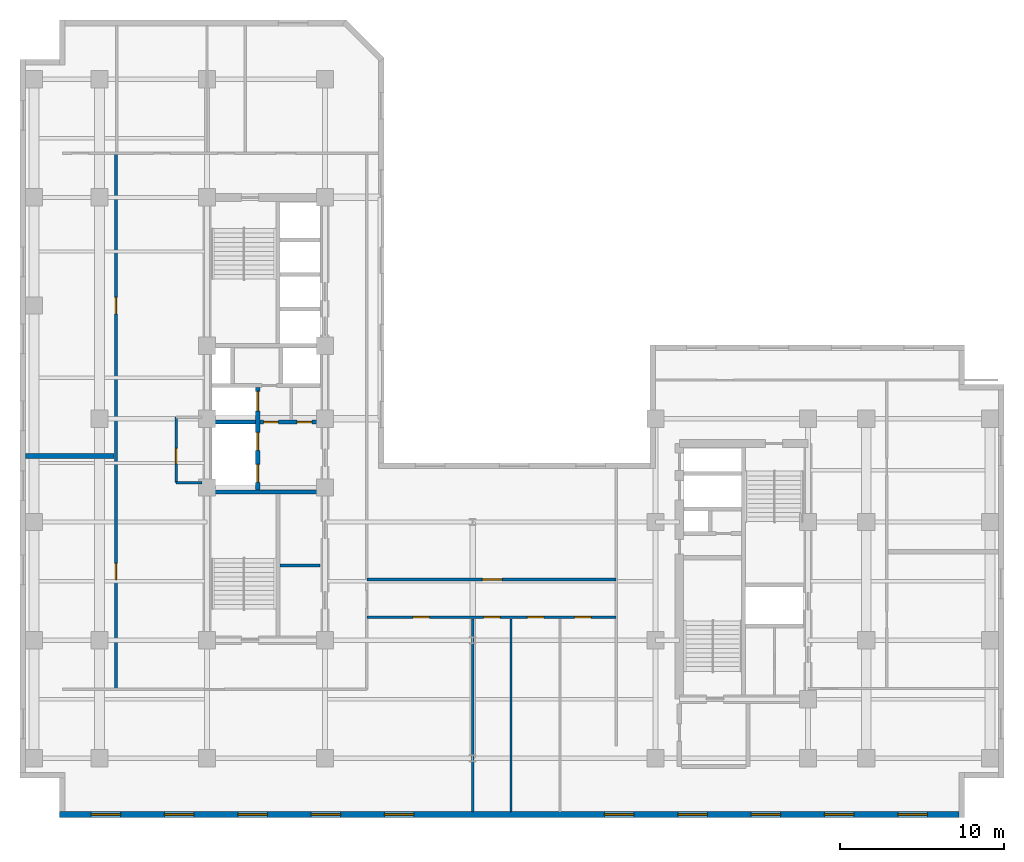
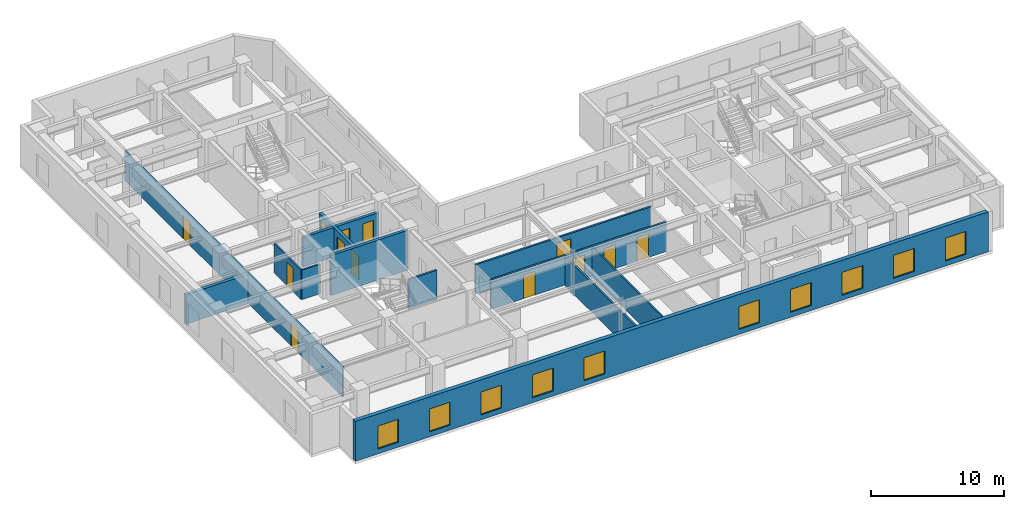
# One storey, part 3 of 9: 13 doors, 13 walls, 10 windows, 23 openings.
"""IFC4 building model written with IfcOpenShell, lengths in metres."""

from ifc_helpers import new_model, entity, si_unit, converted_unit, direction, frame, origin_with_axes, origin_2d_with_axis, place, context, subcontext, project, spatial, polyline, rectangle, outline, extrude, material, layer, layer_set, type_object, element, fill, save


model = new_model("IFC4")

# Units and contexts
model_context = context("Model", 3, precision=1e-05, world=origin_with_axes(), true_north=direction((0.0, 1.0)))
body_context = subcontext(model_context, "Body", "Model", "MODEL_VIEW")
ifc_project = project(units=[si_unit("LENGTHUNIT", "METRE"), si_unit("AREAUNIT", "SQUARE_METRE"), si_unit("VOLUMEUNIT", "CUBIC_METRE"), converted_unit("PLANEANGLEUNIT", "DEGREE", entity("IfcPlaneAngleMeasure", 0.017453292519943295), si_unit("PLANEANGLEUNIT", "RADIAN"), dimensions=[0, 0, 0, 0, 0, 0, 0]), si_unit("MASSUNIT", "GRAM", prefix="KILO"), si_unit("THERMODYNAMICTEMPERATUREUNIT", "KELVIN")], contexts=[model_context])

# Site, building, storey
site_placement = place(None, origin_with_axes())
site = spatial("IfcSite", under=ifc_project, at=site_placement, CompositionType="ELEMENT")
building_placement = place(site_placement, origin_with_axes())
building = spatial("IfcBuilding", under=site, at=building_placement, Name="Varnlund Millrace Tower", CompositionType="ELEMENT")
storey_placement = place(building_placement, frame((0.0, 0.0, 144.6), z_axis=(0.0, 0.0, 1.0), x_axis=(1.0, 0.0, 0.0)))
storey = spatial("IfcBuildingStorey", under=building, at=storey_placement, Name="L35", CompositionType="ELEMENT", Elevation=144.6)

# Wall, openings, windows
ifc_material_1 = material(Name="Precast concrete C50/60", Category="concrete")
ifc_layer_1 = layer(ifc_material_1, 0.34, Name="Precast concrete C50/60")
ifc_layer_set_1 = layer_set([ifc_layer_1], Name="Precast concrete C50/60")
wall_type_1 = type_object("IfcWallType", Name="Type-ExtWall-Precast-Upper-340", PredefinedType="SOLIDWALL", material=ifc_layer_set_1)
wall_1_placement = place(storey_placement, frame((57.26, 0.17, 0.0), z_axis=(0.0, 0.0, 1.0), x_axis=(-1.0, 0.0, 0.0)))
wall_1 = element("IfcWall", 1, at=wall_1_placement, inside=storey, type_object=wall_type_1, Name="Type-ExtWall-Precast-Upper-340", PredefinedType="SOLIDWALL", context=body_context, shape_type="SweptSolid", body=[
    extrude(outline(polyline([(0.0, -0.17), (54.86, -0.17), (54.86, 0.17), (0.0, 0.17), (0.0, -0.17)])), origin_with_axes(), (0.0, 0.0, 1.0), 3.66),
])
opening_1_placement = place(wall_1_placement, frame((2.836, 0.0, 0.45), z_axis=(0.0, 0.0, 1.0), x_axis=(1.0, 0.0, 0.0)))
opening_1 = element("IfcOpeningElement", 2, at=opening_1_placement, cuts=wall_1, Name="Opening L35:WN-08", PredefinedType="OPENING", context=body_context, shape_type="SweptSolid", body=[
    extrude(rectangle(XDim=1.8, YDim=0.36, at=origin_2d_with_axis()), origin_with_axes(), (0.0, 0.0, 1.0), 2.1),
])
opening_2_placement = place(wall_1_placement, frame((7.307, 0.0, 0.45), z_axis=(0.0, 0.0, 1.0), x_axis=(1.0, 0.0, 0.0)))
opening_2 = element("IfcOpeningElement", 3, at=opening_2_placement, cuts=wall_1, Name="Opening L35:WN-09", PredefinedType="OPENING", context=body_context, shape_type="SweptSolid", body=[
    extrude(rectangle(XDim=1.8, YDim=0.36, at=origin_2d_with_axis()), origin_with_axes(), (0.0, 0.0, 1.0), 2.1),
])
opening_3_placement = place(wall_1_placement, frame((11.779, 0.0, 0.45), z_axis=(0.0, 0.0, 1.0), x_axis=(1.0, 0.0, 0.0)))
opening_3 = element("IfcOpeningElement", 4, at=opening_3_placement, cuts=wall_1, Name="Opening L35:WN-10", PredefinedType="OPENING", context=body_context, shape_type="SweptSolid", body=[
    extrude(rectangle(XDim=1.8, YDim=0.36, at=origin_2d_with_axis()), origin_with_axes(), (0.0, 0.0, 1.0), 2.1),
])
opening_4_placement = place(wall_1_placement, frame((16.251, 0.0, 0.45), z_axis=(0.0, 0.0, 1.0), x_axis=(1.0, 0.0, 0.0)))
opening_4 = element("IfcOpeningElement", 5, at=opening_4_placement, cuts=wall_1, Name="Opening L35:WN-11", PredefinedType="OPENING", context=body_context, shape_type="SweptSolid", body=[
    extrude(rectangle(XDim=1.8, YDim=0.36, at=origin_2d_with_axis()), origin_with_axes(), (0.0, 0.0, 1.0), 2.1),
])
opening_5_placement = place(wall_1_placement, frame((20.723, 0.0, 0.45), z_axis=(0.0, 0.0, 1.0), x_axis=(1.0, 0.0, 0.0)))
opening_5 = element("IfcOpeningElement", 6, at=opening_5_placement, cuts=wall_1, Name="Opening L35:WN-12", PredefinedType="OPENING", context=body_context, shape_type="SweptSolid", body=[
    extrude(rectangle(XDim=1.8, YDim=0.36, at=origin_2d_with_axis()), origin_with_axes(), (0.0, 0.0, 1.0), 2.1),
])
opening_6_placement = place(wall_1_placement, frame((34.138, 0.0, 0.45), z_axis=(0.0, 0.0, 1.0), x_axis=(1.0, 0.0, 0.0)))
opening_6 = element("IfcOpeningElement", 7, at=opening_6_placement, cuts=wall_1, Name="Opening L35:WN-13", PredefinedType="OPENING", context=body_context, shape_type="SweptSolid", body=[
    extrude(rectangle(XDim=1.8, YDim=0.36, at=origin_2d_with_axis()), origin_with_axes(), (0.0, 0.0, 1.0), 2.1),
])
opening_7_placement = place(wall_1_placement, frame((38.609, 0.0, 0.45), z_axis=(0.0, 0.0, 1.0), x_axis=(1.0, 0.0, 0.0)))
opening_7 = element("IfcOpeningElement", 8, at=opening_7_placement, cuts=wall_1, Name="Opening L35:WN-14", PredefinedType="OPENING", context=body_context, shape_type="SweptSolid", body=[
    extrude(rectangle(XDim=1.8, YDim=0.36, at=origin_2d_with_axis()), origin_with_axes(), (0.0, 0.0, 1.0), 2.1),
])
opening_8_placement = place(wall_1_placement, frame((43.081, 0.0, 0.45), z_axis=(0.0, 0.0, 1.0), x_axis=(1.0, 0.0, 0.0)))
opening_8 = element("IfcOpeningElement", 9, at=opening_8_placement, cuts=wall_1, Name="Opening L35:WN-15", PredefinedType="OPENING", context=body_context, shape_type="SweptSolid", body=[
    extrude(rectangle(XDim=1.8, YDim=0.36, at=origin_2d_with_axis()), origin_with_axes(), (0.0, 0.0, 1.0), 2.1),
])
opening_9_placement = place(wall_1_placement, frame((47.553, 0.0, 0.45), z_axis=(0.0, 0.0, 1.0), x_axis=(1.0, 0.0, 0.0)))
opening_9 = element("IfcOpeningElement", 10, at=opening_9_placement, cuts=wall_1, Name="Opening L35:WN-16", PredefinedType="OPENING", context=body_context, shape_type="SweptSolid", body=[
    extrude(rectangle(XDim=1.8, YDim=0.36, at=origin_2d_with_axis()), origin_with_axes(), (0.0, 0.0, 1.0), 2.1),
])
opening_10_placement = place(wall_1_placement, frame((52.024, 0.0, 0.45), z_axis=(0.0, 0.0, 1.0), x_axis=(1.0, 0.0, 0.0)))
opening_10 = element("IfcOpeningElement", 11, at=opening_10_placement, cuts=wall_1, Name="Opening L35:WN-17", PredefinedType="OPENING", context=body_context, shape_type="SweptSolid", body=[
    extrude(rectangle(XDim=1.8, YDim=0.36, at=origin_2d_with_axis()), origin_with_axes(), (0.0, 0.0, 1.0), 2.1),
])
ifc_material_2 = material(Name="Argon low-e triple glazing in thermally broken bronze frame", Category="glass")
window_type = type_object("IfcWindowType", Name="Type-Window-Punched-1800X2100", PartitioningType="SINGLE_PANEL", PredefinedType="WINDOW", material=ifc_material_2)
window_1_placement = place(wall_1_placement, frame((2.836, 0.0, 0.45), z_axis=(0.0, 0.0, 1.0), x_axis=(1.0, 0.0, 0.0)))
window_1 = element("IfcWindow", 12, at=window_1_placement, inside=storey, type_object=window_type, Name="Type-Window-Punched-1800X2100", OverallHeight=2.1, OverallWidth=1.8, PredefinedType="WINDOW", context=body_context, shape_type="SweptSolid", body=[
    extrude(rectangle(XDim=1.8, YDim=0.09, at=origin_2d_with_axis()), origin_with_axes(), (0.0, 0.0, 1.0), 2.1),
])
fill(opening_1, window_1)
window_2_placement = place(wall_1_placement, frame((7.307, 0.0, 0.45), z_axis=(0.0, 0.0, 1.0), x_axis=(1.0, 0.0, 0.0)))
window_2 = element("IfcWindow", 13, at=window_2_placement, inside=storey, type_object=window_type, Name="Type-Window-Punched-1800X2100", OverallHeight=2.1, OverallWidth=1.8, PredefinedType="WINDOW", context=body_context, shape_type="SweptSolid", body=[
    extrude(rectangle(XDim=1.8, YDim=0.09, at=origin_2d_with_axis()), origin_with_axes(), (0.0, 0.0, 1.0), 2.1),
])
fill(opening_2, window_2)
window_3_placement = place(wall_1_placement, frame((11.779, 0.0, 0.45), z_axis=(0.0, 0.0, 1.0), x_axis=(1.0, 0.0, 0.0)))
window_3 = element("IfcWindow", 14, at=window_3_placement, inside=storey, type_object=window_type, Name="Type-Window-Punched-1800X2100", OverallHeight=2.1, OverallWidth=1.8, PredefinedType="WINDOW", context=body_context, shape_type="SweptSolid", body=[
    extrude(rectangle(XDim=1.8, YDim=0.09, at=origin_2d_with_axis()), origin_with_axes(), (0.0, 0.0, 1.0), 2.1),
])
fill(opening_3, window_3)
window_4_placement = place(wall_1_placement, frame((16.251, 0.0, 0.45), z_axis=(0.0, 0.0, 1.0), x_axis=(1.0, 0.0, 0.0)))
window_4 = element("IfcWindow", 15, at=window_4_placement, inside=storey, type_object=window_type, Name="Type-Window-Punched-1800X2100", OverallHeight=2.1, OverallWidth=1.8, PredefinedType="WINDOW", context=body_context, shape_type="SweptSolid", body=[
    extrude(rectangle(XDim=1.8, YDim=0.09, at=origin_2d_with_axis()), origin_with_axes(), (0.0, 0.0, 1.0), 2.1),
])
fill(opening_4, window_4)
window_5_placement = place(wall_1_placement, frame((20.723, 0.0, 0.45), z_axis=(0.0, 0.0, 1.0), x_axis=(1.0, 0.0, 0.0)))
window_5 = element("IfcWindow", 16, at=window_5_placement, inside=storey, type_object=window_type, Name="Type-Window-Punched-1800X2100", OverallHeight=2.1, OverallWidth=1.8, PredefinedType="WINDOW", context=body_context, shape_type="SweptSolid", body=[
    extrude(rectangle(XDim=1.8, YDim=0.09, at=origin_2d_with_axis()), origin_with_axes(), (0.0, 0.0, 1.0), 2.1),
])
fill(opening_5, window_5)
window_6_placement = place(wall_1_placement, frame((34.138, 0.0, 0.45), z_axis=(0.0, 0.0, 1.0), x_axis=(1.0, 0.0, 0.0)))
window_6 = element("IfcWindow", 17, at=window_6_placement, inside=storey, type_object=window_type, Name="Type-Window-Punched-1800X2100", OverallHeight=2.1, OverallWidth=1.8, PredefinedType="WINDOW", context=body_context, shape_type="SweptSolid", body=[
    extrude(rectangle(XDim=1.8, YDim=0.09, at=origin_2d_with_axis()), origin_with_axes(), (0.0, 0.0, 1.0), 2.1),
])
fill(opening_6, window_6)
window_7_placement = place(wall_1_placement, frame((38.609, 0.0, 0.45), z_axis=(0.0, 0.0, 1.0), x_axis=(1.0, 0.0, 0.0)))
window_7 = element("IfcWindow", 18, at=window_7_placement, inside=storey, type_object=window_type, Name="Type-Window-Punched-1800X2100", OverallHeight=2.1, OverallWidth=1.8, PredefinedType="WINDOW", context=body_context, shape_type="SweptSolid", body=[
    extrude(rectangle(XDim=1.8, YDim=0.09, at=origin_2d_with_axis()), origin_with_axes(), (0.0, 0.0, 1.0), 2.1),
])
fill(opening_7, window_7)
window_8_placement = place(wall_1_placement, frame((43.081, 0.0, 0.45), z_axis=(0.0, 0.0, 1.0), x_axis=(1.0, 0.0, 0.0)))
window_8 = element("IfcWindow", 19, at=window_8_placement, inside=storey, type_object=window_type, Name="Type-Window-Punched-1800X2100", OverallHeight=2.1, OverallWidth=1.8, PredefinedType="WINDOW", context=body_context, shape_type="SweptSolid", body=[
    extrude(rectangle(XDim=1.8, YDim=0.09, at=origin_2d_with_axis()), origin_with_axes(), (0.0, 0.0, 1.0), 2.1),
])
fill(opening_8, window_8)
window_9_placement = place(wall_1_placement, frame((47.553, 0.0, 0.45), z_axis=(0.0, 0.0, 1.0), x_axis=(1.0, 0.0, 0.0)))
window_9 = element("IfcWindow", 20, at=window_9_placement, inside=storey, type_object=window_type, Name="Type-Window-Punched-1800X2100", OverallHeight=2.1, OverallWidth=1.8, PredefinedType="WINDOW", context=body_context, shape_type="SweptSolid", body=[
    extrude(rectangle(XDim=1.8, YDim=0.09, at=origin_2d_with_axis()), origin_with_axes(), (0.0, 0.0, 1.0), 2.1),
])
fill(opening_9, window_9)
window_10_placement = place(wall_1_placement, frame((52.024, 0.0, 0.45), z_axis=(0.0, 0.0, 1.0), x_axis=(1.0, 0.0, 0.0)))
window_10 = element("IfcWindow", 21, at=window_10_placement, inside=storey, type_object=window_type, Name="Type-Window-Punched-1800X2100", OverallHeight=2.1, OverallWidth=1.8, PredefinedType="WINDOW", context=body_context, shape_type="SweptSolid", body=[
    extrude(rectangle(XDim=1.8, YDim=0.09, at=origin_2d_with_axis()), origin_with_axes(), (0.0, 0.0, 1.0), 2.1),
])
fill(opening_10, window_10)

# Walls
ifc_material_3 = material(Name="Double-stud STC-60 conference acoustic partition", Category="gypsum")
ifc_layer_2 = layer(ifc_material_3, 0.28, Name="Double-stud STC-60 conference acoustic partition")
ifc_layer_set_2 = layer_set([ifc_layer_2], Name="Double-stud STC-60 conference acoustic partition")
wall_type_2 = type_object("IfcWallType", Name="Type-Partition-Acoustic-280", PredefinedType="PARTITIONING", material=ifc_layer_set_2)
wall_2_placement = place(storey_placement, frame((0.335, 22.031, 0.0), z_axis=(0.0, 0.0, 1.0), x_axis=(1.0, 0.0, 0.0)))
element("IfcWall", 22, at=wall_2_placement, inside=storey, type_object=wall_type_2, Name="Type-Partition-Acoustic-280", PredefinedType="PARTITIONING", context=body_context, shape_type="SweptSolid", body=[
    extrude(outline(polyline([(0.0, -0.14), (5.395, -0.14), (5.395, 0.14), (0.0, 0.14), (0.0, -0.14)])), origin_with_axes(), (0.0, 0.0, 1.0), 2.7),
])
ifc_material_4 = material(Name="Fire-rated gypsum board on cold-formed steel framing", Category="steel")
ifc_layer_3 = layer(ifc_material_4, 0.16, Name="Fire-rated gypsum board on cold-formed steel framing")
ifc_layer_set_3 = layer_set([ifc_layer_3], Name="Fire-rated gypsum board on cold-formed steel framing")
wall_type_3 = type_object("IfcWallType", Name="Type-Partition-Corridor-160", PredefinedType="PARTITIONING", material=ifc_layer_set_3)
wall_3_placement = place(storey_placement, frame((15.84, 15.35, 0.0), z_axis=(0.0, 0.0, 1.0), x_axis=(1.0, 0.0, 0.0)))
element("IfcWall", 23, at=wall_3_placement, inside=storey, type_object=wall_type_3, Name="Type-Partition-Corridor-160", PredefinedType="PARTITIONING", context=body_context, shape_type="SweptSolid", body=[
    extrude(outline(polyline([(0.0, -0.08), (2.46, -0.08), (2.46, 0.08), (0.0, 0.08), (0.0, -0.08)])), origin_with_axes(), (0.0, 0.0, 1.0), 2.7),
])

# Wall, openings, doors
wall_4_placement = place(storey_placement, frame((5.85, 7.8, 0.0), z_axis=(0.0, 0.0, 1.0), x_axis=(0.0, 1.0, 0.0)))
wall_4 = element("IfcWall", 24, at=wall_4_placement, inside=storey, type_object=wall_type_3, Name="Type-Partition-Corridor-160", PredefinedType="PARTITIONING", context=body_context, shape_type="SweptSolid", body=[
    extrude(outline(polyline([(0.0, -0.08), (32.7, -0.08), (32.7, 0.08), (0.0, 0.08), (0.0, -0.08)])), origin_with_axes(), (0.0, 0.0, 1.0), 2.7),
])
opening_11_placement = place(wall_4_placement, frame((7.1805, 0.0, 0.0), z_axis=(0.0, 0.0, 1.0), x_axis=(1.0, 0.0, 0.0)))
opening_11 = element("IfcOpeningElement", 25, at=opening_11_placement, cuts=wall_4, Name="Opening L35:DR-W-01", PredefinedType="OPENING", context=body_context, shape_type="SweptSolid", body=[
    extrude(rectangle(XDim=1.0, YDim=0.18, at=origin_2d_with_axis()), origin_with_axes(), (0.0, 0.0, 1.0), 2.15),
])
opening_12_placement = place(wall_4_placement, frame((23.4005, 0.0, 0.0), z_axis=(0.0, 0.0, 1.0), x_axis=(1.0, 0.0, 0.0)))
opening_12 = element("IfcOpeningElement", 26, at=opening_12_placement, cuts=wall_4, Name="Opening L35:DR-W-02", PredefinedType="OPENING", context=body_context, shape_type="SweptSolid", body=[
    extrude(rectangle(XDim=1.0, YDim=0.18, at=origin_2d_with_axis()), origin_with_axes(), (0.0, 0.0, 1.0), 2.15),
])
ifc_material_5 = material(Name="Solid-core white oak and bronze frame door")
door_type_1 = type_object("IfcDoorType", Name="Type-IntDoor-Office-1000X2150", OperationType="NOTDEFINED", PredefinedType="DOOR", material=ifc_material_5)
door_1_placement = place(wall_4_placement, frame((7.1805, 0.0, 0.0), z_axis=(0.0, 0.0, 1.0), x_axis=(1.0, 0.0, 0.0)))
door_1 = element("IfcDoor", 27, at=door_1_placement, inside=storey, type_object=door_type_1, Name="Type-IntDoor-Office-1000X2150", OperationType="SINGLE_SWING_LEFT", OverallHeight=2.15, OverallWidth=1.0, PredefinedType="DOOR", context=body_context, shape_type="SweptSolid", body=[
    extrude(rectangle(XDim=1.0, YDim=0.09, at=origin_2d_with_axis()), origin_with_axes(), (0.0, 0.0, 1.0), 2.15),
])
fill(opening_11, door_1)
door_2_placement = place(wall_4_placement, frame((23.4005, 0.0, 0.0), z_axis=(0.0, 0.0, 1.0), x_axis=(1.0, 0.0, 0.0)))
door_2 = element("IfcDoor", 28, at=door_2_placement, inside=storey, type_object=door_type_1, Name="Type-IntDoor-Office-1000X2150", OperationType="SINGLE_SWING_RIGHT", OverallHeight=2.15, OverallWidth=1.0, PredefinedType="DOOR", context=body_context, shape_type="SweptSolid", body=[
    extrude(rectangle(XDim=1.0, YDim=0.09, at=origin_2d_with_axis()), origin_with_axes(), (0.0, 0.0, 1.0), 2.15),
])
fill(opening_12, door_2)

wall_5_placement = place(storey_placement, frame((21.15, 12.2, 0.0), z_axis=(0.0, 0.0, 1.0), x_axis=(1.0, 0.0, 0.0)))
wall_5 = element("IfcWall", 29, at=wall_5_placement, inside=storey, type_object=wall_type_3, Name="Type-Partition-Corridor-160", PredefinedType="PARTITIONING", context=body_context, shape_type="SweptSolid", body=[
    extrude(outline(polyline([(0.0, -0.08), (15.2, -0.08), (15.2, 0.08), (0.0, 0.08), (0.0, -0.08)])), origin_with_axes(), (0.0, 0.0, 1.0), 2.7),
])
opening_13_placement = place(wall_5_placement, frame((3.315, 0.0, 0.0), z_axis=(0.0, 0.0, 1.0), x_axis=(1.0, 0.0, 0.0)))
opening_13 = element("IfcOpeningElement", 30, at=opening_13_placement, cuts=wall_5, Name="Opening L35:DR-KNS-01", PredefinedType="OPENING", context=body_context, shape_type="SweptSolid", body=[
    extrude(rectangle(XDim=1.0, YDim=0.18, at=origin_2d_with_axis()), origin_with_axes(), (0.0, 0.0, 1.0), 2.15),
])
opening_14_placement = place(wall_5_placement, frame((7.624, 0.0, 0.0), z_axis=(0.0, 0.0, 1.0), x_axis=(1.0, 0.0, 0.0)))
opening_14 = element("IfcOpeningElement", 31, at=opening_14_placement, cuts=wall_5, Name="Opening L35:DR-KNS-02", PredefinedType="OPENING", context=body_context, shape_type="SweptSolid", body=[
    extrude(rectangle(XDim=1.0, YDim=0.18, at=origin_2d_with_axis()), origin_with_axes(), (0.0, 0.0, 1.0), 2.15),
])
opening_15_placement = place(wall_5_placement, frame((10.288, 0.0, 0.0), z_axis=(0.0, 0.0, 1.0), x_axis=(1.0, 0.0, 0.0)))
opening_15 = element("IfcOpeningElement", 32, at=opening_15_placement, cuts=wall_5, Name="Opening L35:DR-KNS-03", PredefinedType="OPENING", context=body_context, shape_type="SweptSolid", body=[
    extrude(rectangle(XDim=1.0, YDim=0.18, at=origin_2d_with_axis()), origin_with_axes(), (0.0, 0.0, 1.0), 2.15),
])
opening_16_placement = place(wall_5_placement, frame((13.169, 0.0, 0.0), z_axis=(0.0, 0.0, 1.0), x_axis=(1.0, 0.0, 0.0)))
opening_16 = element("IfcOpeningElement", 33, at=opening_16_placement, cuts=wall_5, Name="Opening L35:DR-KNS-04", PredefinedType="OPENING", context=body_context, shape_type="SweptSolid", body=[
    extrude(rectangle(XDim=1.0, YDim=0.18, at=origin_2d_with_axis()), origin_with_axes(), (0.0, 0.0, 1.0), 2.15),
])
door_3_placement = place(wall_5_placement, frame((3.315, 0.0, 0.0), z_axis=(0.0, 0.0, 1.0), x_axis=(1.0, 0.0, 0.0)))
door_3 = element("IfcDoor", 34, at=door_3_placement, inside=storey, type_object=door_type_1, Name="Type-IntDoor-Office-1000X2150", OperationType="SINGLE_SWING_LEFT", OverallHeight=2.15, OverallWidth=1.0, PredefinedType="DOOR", context=body_context, shape_type="SweptSolid", body=[
    extrude(rectangle(XDim=1.0, YDim=0.09, at=origin_2d_with_axis()), origin_with_axes(), (0.0, 0.0, 1.0), 2.15),
])
fill(opening_13, door_3)
door_4_placement = place(wall_5_placement, frame((7.624, 0.0, 0.0), z_axis=(0.0, 0.0, 1.0), x_axis=(1.0, 0.0, 0.0)))
door_4 = element("IfcDoor", 35, at=door_4_placement, inside=storey, type_object=door_type_1, Name="Type-IntDoor-Office-1000X2150", OperationType="SINGLE_SWING_RIGHT", OverallHeight=2.15, OverallWidth=1.0, PredefinedType="DOOR", context=body_context, shape_type="SweptSolid", body=[
    extrude(rectangle(XDim=1.0, YDim=0.09, at=origin_2d_with_axis()), origin_with_axes(), (0.0, 0.0, 1.0), 2.15),
])
fill(opening_14, door_4)
door_5_placement = place(wall_5_placement, frame((10.288, 0.0, 0.0), z_axis=(0.0, 0.0, 1.0), x_axis=(1.0, 0.0, 0.0)))
door_5 = element("IfcDoor", 36, at=door_5_placement, inside=storey, type_object=door_type_1, Name="Type-IntDoor-Office-1000X2150", OperationType="SINGLE_SWING_LEFT", OverallHeight=2.15, OverallWidth=1.0, PredefinedType="DOOR", context=body_context, shape_type="SweptSolid", body=[
    extrude(rectangle(XDim=1.0, YDim=0.09, at=origin_2d_with_axis()), origin_with_axes(), (0.0, 0.0, 1.0), 2.15),
])
fill(opening_15, door_5)
door_6_placement = place(wall_5_placement, frame((13.169, 0.0, 0.0), z_axis=(0.0, 0.0, 1.0), x_axis=(1.0, 0.0, 0.0)))
door_6 = element("IfcDoor", 37, at=door_6_placement, inside=storey, type_object=door_type_1, Name="Type-IntDoor-Office-1000X2150", OperationType="SINGLE_SWING_RIGHT", OverallHeight=2.15, OverallWidth=1.0, PredefinedType="DOOR", context=body_context, shape_type="SweptSolid", body=[
    extrude(rectangle(XDim=1.0, YDim=0.09, at=origin_2d_with_axis()), origin_with_axes(), (0.0, 0.0, 1.0), 2.15),
])
fill(opening_16, door_6)

# Wall, opening, door
wall_6_placement = place(storey_placement, frame((21.15, 14.5, 0.0), z_axis=(0.0, 0.0, 1.0), x_axis=(1.0, 0.0, 0.0)))
wall_6 = element("IfcWall", 38, at=wall_6_placement, inside=storey, type_object=wall_type_3, Name="Type-Partition-Corridor-160", PredefinedType="PARTITIONING", context=body_context, shape_type="SweptSolid", body=[
    extrude(outline(polyline([(0.0, -0.08), (15.2, -0.08), (15.2, 0.08), (0.0, 0.08), (0.0, -0.08)])), origin_with_axes(), (0.0, 0.0, 1.0), 2.7),
])
opening_17_placement = place(wall_6_placement, frame((7.65, 0.0, 0.0), z_axis=(0.0, 0.0, 1.0), x_axis=(1.0, 0.0, 0.0)))
opening_17 = element("IfcOpeningElement", 39, at=opening_17_placement, cuts=wall_6, Name="Opening L35:DR-KN-01", PredefinedType="OPENING", context=body_context, shape_type="SweptSolid", body=[
    extrude(rectangle(XDim=1.2, YDim=0.18, at=origin_2d_with_axis()), origin_with_axes(), (0.0, 0.0, 1.0), 2.2),
])
ifc_material_6 = material(Name="Wide executive white oak acoustic door")
door_type_2 = type_object("IfcDoorType", Name="Type-IntDoor-Exec-1200X2200", OperationType="NOTDEFINED", PredefinedType="DOOR", material=ifc_material_6)
door_7_placement = place(wall_6_placement, frame((7.65, 0.0, 0.0), z_axis=(0.0, 0.0, 1.0), x_axis=(1.0, 0.0, 0.0)))
door_7 = element("IfcDoor", 40, at=door_7_placement, inside=storey, type_object=door_type_2, Name="Type-IntDoor-Exec-1200X2200", OperationType="SINGLE_SWING_LEFT", OverallHeight=2.2, OverallWidth=1.2, PredefinedType="DOOR", context=body_context, shape_type="SweptSolid", body=[
    extrude(rectangle(XDim=1.2, YDim=0.09, at=origin_2d_with_axis()), origin_with_axes(), (0.0, 0.0, 1.0), 2.2),
])
fill(opening_17, door_7)

# Walls
ifc_material_7 = material(Name="Acoustic STC-50 gypsum board partition", Category="gypsum")
ifc_layer_4 = layer(ifc_material_7, 0.15, Name="Acoustic STC-50 gypsum board partition")
ifc_layer_set_4 = layer_set([ifc_layer_4], Name="Acoustic STC-50 gypsum board partition")
wall_type_4 = type_object("IfcWallType", Name="Type-Partition-Demising-150", PredefinedType="PARTITIONING", material=ifc_layer_set_4)
wall_7_placement = place(storey_placement, frame((27.6, 0.335, 0.0), z_axis=(0.0, 0.0, 1.0), x_axis=(0.0, 1.0, 0.0)))
element("IfcWall", 41, at=wall_7_placement, inside=storey, type_object=wall_type_4, Name="Type-Partition-Demising-150", PredefinedType="PARTITIONING", context=body_context, shape_type="SweptSolid", body=[
    extrude(outline(polyline([(0.0, -0.075), (11.745, -0.075), (11.745, 0.075), (0.0, 0.075), (0.0, -0.075)])), origin_with_axes(), (0.0, 0.0, 1.0), 2.7),
])
ifc_material_8 = material(Name="Gypsum board tenant partition", Category="gypsum")
ifc_layer_5 = layer(ifc_material_8, 0.125, Name="Gypsum board tenant partition")
ifc_layer_set_5 = layer_set([ifc_layer_5], Name="Gypsum board tenant partition")
wall_type_5 = type_object("IfcWallType", Name="Type-Partition-Tenant-125", PredefinedType="PARTITIONING", material=ifc_layer_set_5)
wall_8_placement = place(storey_placement, frame((29.948, 0.335, 0.0), z_axis=(0.0, 0.0, 1.0), x_axis=(0.0, 1.0, 0.0)))
element("IfcWall", 42, at=wall_8_placement, inside=storey, type_object=wall_type_5, Name="Type-Partition-Tenant-125", PredefinedType="PARTITIONING", context=body_context, shape_type="SweptSolid", body=[
    extrude(outline(polyline([(0.0, -0.0625), (11.745, -0.0625), (11.745, 0.0625), (0.0, 0.0625), (0.0, -0.0625)])), origin_with_axes(), (0.0, 0.0, 1.0), 2.7),
])

# Wall, opening, door
ifc_material_9 = material(Name="Moisture-resistant gypsum restroom partition", Category="gypsum")
ifc_layer_6 = layer(ifc_material_9, 0.14, Name="Moisture-resistant gypsum restroom partition")
ifc_layer_set_6 = layer_set([ifc_layer_6], Name="Moisture-resistant gypsum restroom partition")
wall_type_6 = type_object("IfcWallType", Name="Type-Partition-Wet-140", PredefinedType="PARTITIONING", material=ifc_layer_set_6)
wall_9_placement = place(storey_placement, frame((9.52, 20.4, 0.0), z_axis=(0.0, 0.0, 1.0), x_axis=(0.0, 1.0, 0.0)))
wall_9 = element("IfcWall", 43, at=wall_9_placement, inside=storey, type_object=wall_type_6, Name="Type-Partition-Wet-140", PredefinedType="PARTITIONING", context=body_context, shape_type="SweptSolid", body=[
    extrude(outline(polyline([(0.0, -0.07), (4.0, -0.07), (4.0, 0.07), (0.0, 0.07), (0.0, -0.07)])), origin_with_axes(), (0.0, 0.0, 1.0), 2.7),
])
opening_18_placement = place(wall_9_placement, frame((1.625, 0.0, 0.0), z_axis=(0.0, 0.0, 1.0), x_axis=(1.0, 0.0, 0.0)))
opening_18 = element("IfcOpeningElement", 44, at=opening_18_placement, cuts=wall_9, Name="Opening L35:DR-CA-WCW", PredefinedType="OPENING", context=body_context, shape_type="SweptSolid", body=[
    extrude(rectangle(XDim=0.95, YDim=0.16, at=origin_2d_with_axis()), origin_with_axes(), (0.0, 0.0, 1.0), 2.15),
])
ifc_material_10 = material(Name="Solid-core acoustic office door")
door_type_3 = type_object("IfcDoorType", Name="Type-IntDoor-Tenant-950X2150", OperationType="NOTDEFINED", PredefinedType="DOOR", material=ifc_material_10)
door_8_placement = place(wall_9_placement, frame((1.625, 0.0, 0.0), z_axis=(0.0, 0.0, 1.0), x_axis=(1.0, 0.0, 0.0)))
door_8 = element("IfcDoor", 45, at=door_8_placement, inside=storey, type_object=door_type_3, Name="Type-IntDoor-Tenant-950X2150", OperationType="SINGLE_SWING_LEFT", OverallHeight=2.15, OverallWidth=0.95, PredefinedType="DOOR", context=body_context, shape_type="SweptSolid", body=[
    extrude(rectangle(XDim=0.95, YDim=0.084, at=origin_2d_with_axis()), origin_with_axes(), (0.0, 0.0, 1.0), 2.15),
])
fill(opening_18, door_8)

# Wall
wall_10_placement = place(storey_placement, frame((9.52, 20.4, 0.0), z_axis=(0.0, 0.0, 1.0), x_axis=(1.0, 0.0, 0.0)))
element("IfcWall", 46, at=wall_10_placement, inside=storey, type_object=wall_type_6, Name="Type-Partition-Wet-140", PredefinedType="PARTITIONING", context=body_context, shape_type="SweptSolid", body=[
    extrude(outline(polyline([(0.0, -0.07), (1.58, -0.07), (1.58, 0.07), (0.0, 0.07), (0.0, -0.07)])), origin_with_axes(), (0.0, 0.0, 1.0), 2.7),
])

# Wall, openings, doors
ifc_material_11 = material(Name="Concrete C60/75", Category="concrete")
ifc_layer_7 = layer(ifc_material_11, 0.25, Name="Concrete C60/75")
ifc_layer_set_7 = layer_set([ifc_layer_7], Name="Concrete C60/75")
wall_type_7 = type_object("IfcWallType", Name="Type-ShaftWall-Fire-250", PredefinedType="SOLIDWALL", material=ifc_layer_set_7)
wall_11_placement = place(storey_placement, frame((14.5, 19.95, 0.0), z_axis=(0.0, 0.0, 1.0), x_axis=(0.0, 1.0, 0.0)))
wall_11 = element("IfcWall", 47, at=wall_11_placement, inside=storey, type_object=wall_type_7, Name="Type-ShaftWall-Fire-250", PredefinedType="SOLIDWALL", context=body_context, shape_type="SweptSolid", body=[
    extrude(outline(polyline([(0.0, -0.125), (6.25, -0.125), (6.25, 0.125), (0.0, 0.125), (0.0, -0.125)])), origin_with_axes(), (0.0, 0.0, 1.0), 2.7),
])
opening_19_placement = place(wall_11_placement, frame((1.025, 0.0, 0.0), z_axis=(0.0, 0.0, 1.0), x_axis=(1.0, 0.0, 0.0)))
opening_19 = element("IfcOpeningElement", 48, at=opening_19_placement, cuts=wall_11, Name="Opening L35:LD-FSAE1", PredefinedType="OPENING", context=body_context, shape_type="SweptSolid", body=[
    extrude(rectangle(XDim=1.1, YDim=0.27, at=origin_2d_with_axis()), origin_with_axes(), (0.0, 0.0, 1.0), 2.15),
])
opening_20_placement = place(wall_11_placement, frame((2.975, 0.0, 0.0), z_axis=(0.0, 0.0, 1.0), x_axis=(1.0, 0.0, 0.0)))
opening_20 = element("IfcOpeningElement", 49, at=opening_20_placement, cuts=wall_11, Name="Opening L35:LD-FSAE2", PredefinedType="OPENING", context=body_context, shape_type="SweptSolid", body=[
    extrude(rectangle(XDim=1.1, YDim=0.27, at=origin_2d_with_axis()), origin_with_axes(), (0.0, 0.0, 1.0), 2.15),
])
opening_21_placement = place(wall_11_placement, frame((5.425, 0.0, 0.0), z_axis=(0.0, 0.0, 1.0), x_axis=(1.0, 0.0, 0.0)))
opening_21 = element("IfcOpeningElement", 50, at=opening_21_placement, cuts=wall_11, Name="Opening L35:LD-SRV1", PredefinedType="OPENING", context=body_context, shape_type="SweptSolid", body=[
    extrude(rectangle(XDim=1.2, YDim=0.27, at=origin_2d_with_axis()), origin_with_axes(), (0.0, 0.0, 1.0), 2.15),
])
ifc_material_12 = material(Name="Stainless and architectural bronze sliding landing door")
door_type_4 = type_object("IfcDoorType", Name="Type-LiftLandingDoor-1100X2150", OperationType="NOTDEFINED", PredefinedType="DOOR", material=ifc_material_12)
door_9_placement = place(wall_11_placement, frame((1.025, 0.0, 0.0), z_axis=(0.0, 0.0, 1.0), x_axis=(1.0, 0.0, 0.0)))
door_9 = element("IfcDoor", 51, at=door_9_placement, inside=storey, type_object=door_type_4, Name="Type-LiftLandingDoor-1100X2150", OperationType="SLIDING_TO_LEFT", OverallHeight=2.15, OverallWidth=1.1, PredefinedType="DOOR", context=body_context, shape_type="SweptSolid", body=[
    extrude(rectangle(XDim=1.1, YDim=0.09, at=origin_2d_with_axis()), origin_with_axes(), (0.0, 0.0, 1.0), 2.15),
])
fill(opening_19, door_9)
door_10_placement = place(wall_11_placement, frame((2.975, 0.0, 0.0), z_axis=(0.0, 0.0, 1.0), x_axis=(1.0, 0.0, 0.0)))
door_10 = element("IfcDoor", 52, at=door_10_placement, inside=storey, type_object=door_type_4, Name="Type-LiftLandingDoor-1100X2150", OperationType="SLIDING_TO_RIGHT", OverallHeight=2.15, OverallWidth=1.1, PredefinedType="DOOR", context=body_context, shape_type="SweptSolid", body=[
    extrude(rectangle(XDim=1.1, YDim=0.09, at=origin_2d_with_axis()), origin_with_axes(), (0.0, 0.0, 1.0), 2.15),
])
fill(opening_20, door_10)
ifc_material_13 = material(Name="Heavy-duty freight sliding landing door")
door_type_5 = type_object("IfcDoorType", Name="Type-LiftLandingDoor-Service-1200X2150", OperationType="NOTDEFINED", PredefinedType="DOOR", material=ifc_material_13)
door_11_placement = place(wall_11_placement, frame((5.425, 0.0, 0.0), z_axis=(0.0, 0.0, 1.0), x_axis=(1.0, 0.0, 0.0)))
door_11 = element("IfcDoor", 53, at=door_11_placement, inside=storey, type_object=door_type_5, Name="Type-LiftLandingDoor-Service-1200X2150", OperationType="DOUBLE_DOOR_SLIDING", OverallHeight=2.15, OverallWidth=1.2, PredefinedType="DOOR", context=body_context, shape_type="SweptSolid", body=[
    extrude(rectangle(XDim=1.2, YDim=0.09, at=origin_2d_with_axis()), origin_with_axes(), (0.0, 0.0, 1.0), 2.15),
])
fill(opening_21, door_11)

wall_12_placement = place(storey_placement, frame((11.7, 24.1, 0.0), z_axis=(0.0, 0.0, 1.0), x_axis=(1.0, 0.0, 0.0)))
wall_12 = element("IfcWall", 54, at=wall_12_placement, inside=storey, type_object=wall_type_7, Name="Type-ShaftWall-Fire-250", PredefinedType="SOLIDWALL", context=body_context, shape_type="SweptSolid", body=[
    extrude(outline(polyline([(0.0, -0.125), (6.6, -0.125), (6.6, 0.125), (0.0, 0.125), (0.0, -0.125)])), origin_with_axes(), (0.0, 0.0, 1.0), 2.7),
])
opening_22_placement = place(wall_12_placement, frame((3.6, 0.0, 0.0), z_axis=(0.0, 0.0, 1.0), x_axis=(1.0, 0.0, 0.0)))
opening_22 = element("IfcOpeningElement", 55, at=opening_22_placement, cuts=wall_12, Name="Opening L35:DR-CA-SUB1", PredefinedType="OPENING", context=body_context, shape_type="SweptSolid", body=[
    extrude(rectangle(XDim=0.9, YDim=0.27, at=origin_2d_with_axis()), origin_with_axes(), (0.0, 0.0, 1.0), 2.15),
])
opening_23_placement = place(wall_12_placement, frame((5.65, 0.0, 0.0), z_axis=(0.0, 0.0, 1.0), x_axis=(1.0, 0.0, 0.0)))
opening_23 = element("IfcOpeningElement", 56, at=opening_23_placement, cuts=wall_12, Name="Opening L35:DR-CA-SUB2", PredefinedType="OPENING", context=body_context, shape_type="SweptSolid", body=[
    extrude(rectangle(XDim=0.9, YDim=0.27, at=origin_2d_with_axis()), origin_with_axes(), (0.0, 0.0, 1.0), 2.15),
])
ifc_material_14 = material(Name="Fire-rated hollow steel service closet door", Category="steel")
door_type_6 = type_object("IfcDoorType", Name="Type-FireDoor-Closet-900X2150", OperationType="NOTDEFINED", PredefinedType="DOOR", material=ifc_material_14)
door_12_placement = place(wall_12_placement, frame((3.6, 0.0, 0.0), z_axis=(0.0, 0.0, 1.0), x_axis=(1.0, 0.0, 0.0)))
door_12 = element("IfcDoor", 57, at=door_12_placement, inside=storey, type_object=door_type_6, Name="Type-FireDoor-Closet-900X2150", OperationType="SINGLE_SWING_LEFT", OverallHeight=2.15, OverallWidth=0.9, PredefinedType="DOOR", context=body_context, shape_type="SweptSolid", body=[
    extrude(rectangle(XDim=0.9, YDim=0.09, at=origin_2d_with_axis()), origin_with_axes(), (0.0, 0.0, 1.0), 2.15),
])
fill(opening_22, door_12)
door_13_placement = place(wall_12_placement, frame((5.65, 0.0, 0.0), z_axis=(0.0, 0.0, 1.0), x_axis=(1.0, 0.0, 0.0)))
door_13 = element("IfcDoor", 58, at=door_13_placement, inside=storey, type_object=door_type_6, Name="Type-FireDoor-Closet-900X2150", OperationType="SINGLE_SWING_LEFT", OverallHeight=2.15, OverallWidth=0.9, PredefinedType="DOOR", context=body_context, shape_type="SweptSolid", body=[
    extrude(rectangle(XDim=0.9, YDim=0.09, at=origin_2d_with_axis()), origin_with_axes(), (0.0, 0.0, 1.0), 2.15),
])
fill(opening_23, door_13)

# Wall
wall_type_8 = type_object("IfcWallType", Name="Type-StairWall-Shear-250", PredefinedType="SHEAR", material=ifc_layer_set_7)
wall_13_placement = place(storey_placement, frame((11.65, 19.825, 0.0), z_axis=(0.0, 0.0, 1.0), x_axis=(1.0, 0.0, 0.0)))
element("IfcWall", 59, at=wall_13_placement, inside=storey, type_object=wall_type_8, Name="Type-StairWall-Shear-250", PredefinedType="SHEAR", context=body_context, shape_type="SweptSolid", body=[
    extrude(outline(polyline([(0.0, -0.125), (6.7, -0.125), (6.7, 0.125), (0.0, 0.125), (0.0, -0.125)])), origin_with_axes(), (0.0, 0.0, 1.0), 3.66),
])

save(model, "model.ifc")
